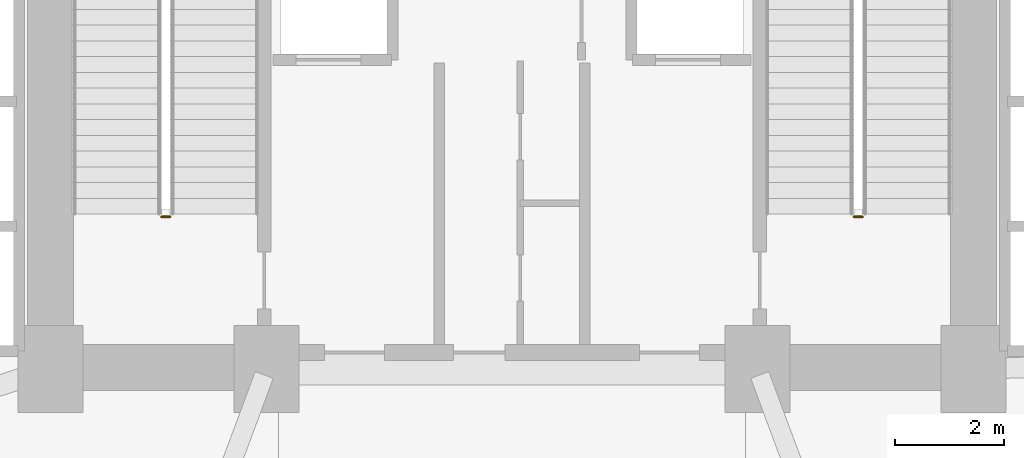
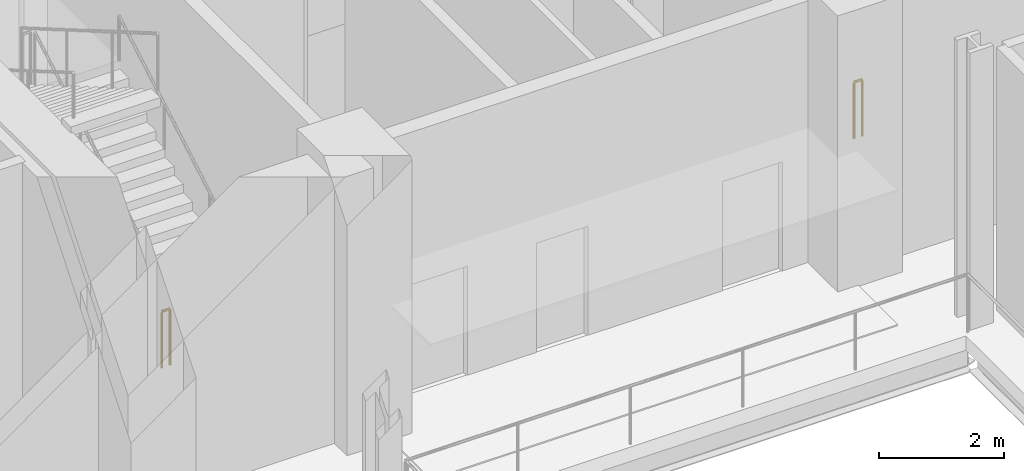
# One storey, part 32 of 36: 2 railings.
"""IFC4 building model written with IfcOpenShell, lengths in metres."""

from ifc_helpers import new_model, si_unit, direction, frame, origin, origin_2d, place, context, subcontext, project, spatial, circle, extrude, material, type_object, element, save


model = new_model("IFC4")

# Units and contexts
model_context = context("Model", 3, precision=1e-05, world=origin(), true_north=direction((0.0, 1.0)))
body_context = subcontext(model_context, "Body", "Model", "MODEL_VIEW")
ifc_project = project(units=[si_unit("LENGTHUNIT", "METRE"), si_unit("AREAUNIT", "SQUARE_METRE"), si_unit("VOLUMEUNIT", "CUBIC_METRE"), si_unit("PLANEANGLEUNIT", "RADIAN"), si_unit("MASSUNIT", "GRAM", prefix="KILO")], contexts=[model_context])

# Site, building, storey
site_placement = place(None, origin())
site = spatial("IfcSite", under=ifc_project, at=site_placement, CompositionType="ELEMENT")
building_placement = place(site_placement, origin())
building = spatial("IfcBuilding", under=site, at=building_placement, Name="Varnelok Gate Tower", CompositionType="ELEMENT")
storey_placement = place(building_placement, frame((0.0, 0.0, 10.800048828125)))
storey = spatial("IfcBuildingStorey", under=building, at=storey_placement, Name="L02", CompositionType="ELEMENT", Elevation=10.800048828125)

# Railings
ifc_material = material(Name="Galvanized Steel Grade S350GD", Category="steel")
railing_type = type_object("IfcRailingType", Name="RL-STAIR-GUARD1120", PredefinedType="GUARDRAIL", material=ifc_material)
for number, where, name in (
    (1, (32.89990234375, 31.550048828125, 0.0), "L02 ST-1 stair guard 4"),
    (2, (45.64990234375, 31.550048828125, 0.0), "L02 ST-2 stair guard 4"),
):
    element("IfcRailing", number, at=place(storey_placement, frame(where)), inside=storey, type_object=railing_type, Name=name, PredefinedType="GUARDRAIL", context=body_context, shape_type="SweptSolid", body=[
        extrude(circle(Radius=0.02392578125, at=origin_2d()), frame((0.0, 0.0, 1.09619140625), z_axis=(-1.0, 0.0, 0.0), x_axis=(0.0, -1.0, 0.0)), (0.0, 0.0, 1.0), 0.14990234375),
        extrude(circle(Radius=0.02099609375, at=origin_2d()), origin(), (0.0, 0.0, 1.0), 1.072021484375),
        extrude(circle(Radius=0.02099609375, at=origin_2d()), frame((-0.14990234375, 0.0, 0.0)), (0.0, 0.0, 1.0), 1.072021484375),
    ])

save(model, "model.ifc")
